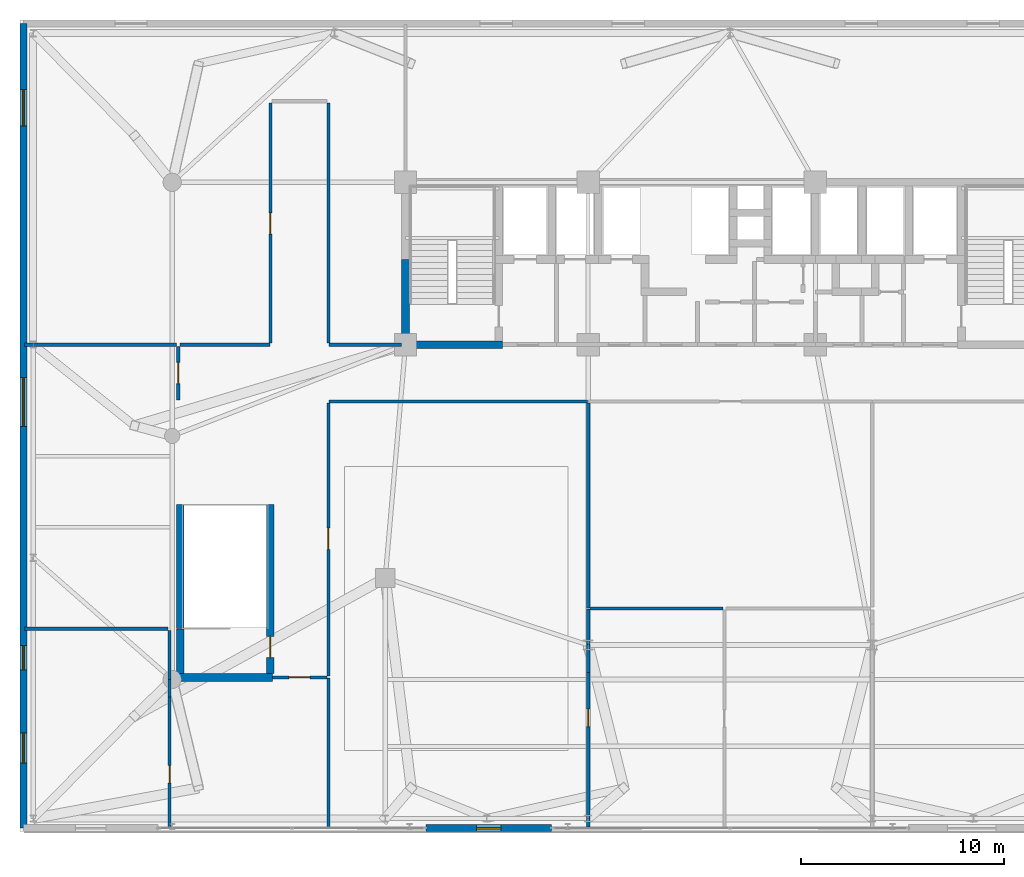
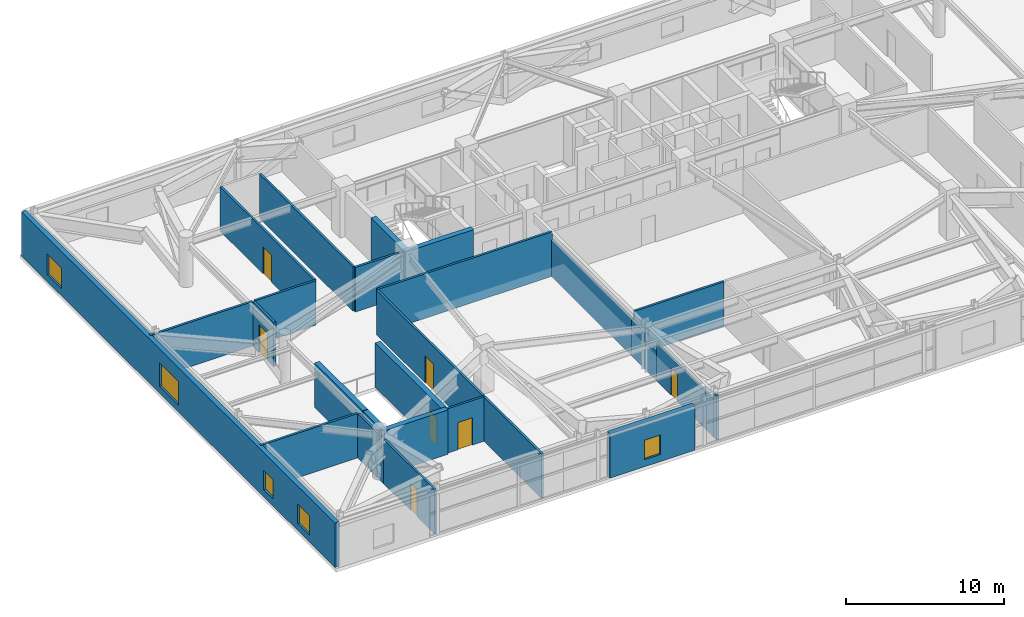
# One storey, part 20 of 27: 28 walls, 7 doors, 5 windows, 12 openings.
"""IFC4 building model written with IfcOpenShell, lengths in metres."""

from ifc_helpers import new_model, si_unit, direction, frame, frame_2d, origin, place, context, subcontext, project, spatial, rectangle, extrude, source, transform, mapped, material, layer, layer_set, type_object, element, fill, save


model = new_model("IFC4")

# Units and contexts
model_context = context("Model", 3, precision=1e-05, world=origin(), true_north=direction((0.0, 1.0)))
body_context = subcontext(model_context, "Body", "Model", "MODEL_VIEW")
ifc_project = project(units=[si_unit("LENGTHUNIT", "METRE"), si_unit("AREAUNIT", "SQUARE_METRE"), si_unit("VOLUMEUNIT", "CUBIC_METRE"), si_unit("PLANEANGLEUNIT", "RADIAN"), si_unit("MASSUNIT", "GRAM", prefix="KILO")], contexts=[model_context])

# Site, building, storey
site_placement = place(None, origin())
site = spatial("IfcSite", under=ifc_project, at=site_placement, CompositionType="ELEMENT")
building_placement = place(site_placement, origin())
building = spatial("IfcBuilding", under=site, at=building_placement, Name="Taldren Reach Tower", CompositionType="ELEMENT")
storey_placement = place(building_placement, frame((0.0, 0.0, 12.949951171875)))
storey = spatial("IfcBuildingStorey", under=building, at=storey_placement, Name="L03", CompositionType="ELEMENT", Elevation=12.949951171875)

# Wall, opening, window
ifc_material_1 = material(Name="Pale Champagne Anodised Aluminium Cladding", Category="aluminium")
ifc_layer_1 = layer(ifc_material_1, 0.04, Name="Pale Champagne Anodised Aluminium Cladding", Category="aluminium")
ifc_material_2 = material(Name="Mineral Wool Thermal Insulation", Category="insulation")
ifc_layer_2 = layer(ifc_material_2, 0.08, Name="Mineral Wool Thermal Insulation", Category="insulation")
ifc_material_3 = material(Name="Concrete S50 (50 MPa)", Category="concrete")
ifc_layer_3 = layer(ifc_material_3, 0.22, Name="Concrete S50 (50 MPa)", Category="concrete")
ifc_layer_set_1 = layer_set([ifc_layer_1, ifc_layer_2, ifc_layer_3], Name="Pale Champagne Aluminium Cladding and Precast Concrete 50 MPa (S50)")
wall_type_1 = type_object("IfcWallType", Name="EW-POD-340", PredefinedType="SOLIDWALL", material=ifc_layer_set_1)
shared_shape_1 = source(origin(), body_context, "Body", "SweptSolid", [
    extrude(rectangle(XDim=6.199951171875, YDim=0.340087890625, at=frame_2d((3.10009765625, 0.0))), origin(), (0.0, 0.0, 1.0), 3.429931640625),
])
wall_1_placement = place(storey_placement, frame((20.0, 0.169921875, 0.0), z_axis=(0.0, 0.0, 1.0), x_axis=(1.0, 0.0, 0.0)))
wall_1 = element("IfcWall", 1, at=wall_1_placement, inside=storey, type_object=wall_type_1, Name="Podium south facade wall L03-S2", PredefinedType="SOLIDWALL", context=body_context, shape_type="MappedRepresentation", body=[
    mapped(shared_shape_1, transform((0.0, 0.0, 0.0), scale=1.0)),
])
shared_shape_2 = source(origin(), body_context, "Body", "SweptSolid", [
    extrude(rectangle(XDim=1.199951171875, YDim=1.5, at=frame_2d((0.60009765625, 0.75))), frame((0.0, 0.18017578125, 0.0), z_axis=(0.0, -1.0, 0.0), x_axis=(1.0, 0.0, 0.0)), (0.0, 0.0, 1.0), 0.360107421875),
])
opening_1_placement = place(wall_1_placement, frame((2.5, 0.0, 0.550048828125)))
opening_1 = element("IfcOpeningElement", 2, at=opening_1_placement, cuts=wall_1, Name="Opening W-1215", PredefinedType="OPENING", context=body_context, shape_type="MappedRepresentation", body=[
    mapped(shared_shape_2, transform((0.0, 0.0, 0.0), scale=1.0)),
])
ifc_material_4 = material(Name="Thermally Broken Aluminium and Low-E IGU", Category="aluminium")
window_type_1 = type_object("IfcWindowType", Name="WN-POD-1200", PartitioningType="SINGLE_PANEL", PredefinedType="WINDOW", material=ifc_material_4)
shared_shape_3 = source(origin(), body_context, "Body", "SweptSolid", [
    extrude(rectangle(XDim=1.199951171875, YDim=1.5, at=frame_2d((0.60009765625, 0.75))), frame((0.0, 0.030029296875, 0.0), z_axis=(0.0, -1.0, 0.0), x_axis=(1.0, 0.0, 0.0)), (0.0, 0.0, 1.0), 0.06005859375),
])
window_1_placement = place(opening_1_placement, origin())
window_1 = element("IfcWindow", 3, at=window_1_placement, inside=storey, type_object=window_type_1, Name="Podium clinical window L03-S2", OverallHeight=1.5, OverallWidth=1.199951171875, PartitioningType="SINGLE_PANEL", PredefinedType="WINDOW", context=body_context, shape_type="MappedRepresentation", body=[
    mapped(shared_shape_3, transform((0.0, 0.0, 0.0), scale=1.0)),
])
fill(opening_1, window_1)

# Wall, openings, windows
shared_shape_4 = source(origin(), body_context, "Body", "SweptSolid", [
    extrude(rectangle(XDim=39.66015625, YDim=0.340087890625, at=frame_2d((19.830078125, 0.0))), origin(), (0.0, 0.0, 1.0), 3.429931640625),
])
wall_2_placement = place(storey_placement, frame((0.169921875, 0.169921875, 0.0), z_axis=(0.0, 0.0, 1.0), x_axis=(0.0, 1.0, 0.0)))
wall_2 = element("IfcWall", 4, at=wall_2_placement, inside=storey, type_object=wall_type_1, Name="Podium facade wall L03-W", PredefinedType="SOLIDWALL", context=body_context, shape_type="MappedRepresentation", body=[
    mapped(shared_shape_4, transform((0.0, 0.0, 0.0), scale=1.0)),
])
shared_shape_5 = source(origin(), body_context, "Body", "SweptSolid", [
    extrude(rectangle(XDim=1.5, YDim=1.5, at=frame_2d((0.75, 0.75))), frame((0.0, 0.18017578125, 0.0), z_axis=(0.0, -1.0, 0.0), x_axis=(1.0, 0.0, 0.0)), (0.0, 0.0, 1.0), 0.360107421875),
])
opening_2_placement = place(wall_2_placement, frame((3.199951171875, 0.0, 0.550048828125)))
opening_2 = element("IfcOpeningElement", 5, at=opening_2_placement, cuts=wall_2, Name="Opening W-1515", PredefinedType="OPENING", context=body_context, shape_type="MappedRepresentation", body=[
    mapped(shared_shape_5, transform((0.0, 0.0, 0.0), scale=1.0)),
])
opening_3_placement = place(wall_2_placement, frame((7.800048828125, 0.0, 0.550048828125)))
opening_3 = element("IfcOpeningElement", 6, at=opening_3_placement, cuts=wall_2, Name="Opening W-1215", PredefinedType="OPENING", context=body_context, shape_type="MappedRepresentation", body=[
    mapped(shared_shape_2, transform((0.0, 0.0, 0.0), scale=1.0)),
])
shared_shape_6 = source(origin(), body_context, "Body", "SweptSolid", [
    extrude(rectangle(XDim=2.39990234375, YDim=1.800048828125, at=frame_2d((1.199951171875, 0.89990234375))), frame((0.0, 0.18017578125, 0.0), z_axis=(0.0, -1.0, 0.0), x_axis=(1.0, 0.0, 0.0)), (0.0, 0.0, 1.0), 0.360107421875),
])
opening_4_placement = place(wall_2_placement, frame((19.800048828125, 0.0, 0.550048828125)))
opening_4 = element("IfcOpeningElement", 7, at=opening_4_placement, cuts=wall_2, Name="Opening W-2418", PredefinedType="OPENING", context=body_context, shape_type="MappedRepresentation", body=[
    mapped(shared_shape_6, transform((0.0, 0.0, 0.0), scale=1.0)),
])
shared_shape_7 = source(origin(), body_context, "Body", "SweptSolid", [
    extrude(rectangle(XDim=1.800048828125, YDim=1.60009765625, at=frame_2d((0.89990234375, 0.800048828125))), frame((0.0, 0.18017578125, 0.0), z_axis=(0.0, -1.0, 0.0), x_axis=(1.0, 0.0, 0.0)), (0.0, 0.0, 1.0), 0.360107421875),
])
opening_5_placement = place(wall_2_placement, frame((34.60009765625, 0.0, 0.550048828125)))
opening_5 = element("IfcOpeningElement", 8, at=opening_5_placement, cuts=wall_2, Name="Opening W-1816", PredefinedType="OPENING", context=body_context, shape_type="MappedRepresentation", body=[
    mapped(shared_shape_7, transform((0.0, 0.0, 0.0), scale=1.0)),
])
window_2_placement = place(opening_3_placement, origin())
window_2 = element("IfcWindow", 9, at=window_2_placement, inside=storey, type_object=window_type_1, Name="Clinical window L03-W2", OverallHeight=1.5, OverallWidth=1.199951171875, PartitioningType="SINGLE_PANEL", PredefinedType="WINDOW", context=body_context, shape_type="MappedRepresentation", body=[
    mapped(shared_shape_3, transform((0.0, 0.0, 0.0), scale=1.0)),
])
fill(opening_3, window_2)
window_type_2 = type_object("IfcWindowType", Name="WN-POD-1800", PartitioningType="SINGLE_PANEL", PredefinedType="WINDOW", material=ifc_material_4)
shared_shape_8 = source(origin(), body_context, "Body", "SweptSolid", [
    extrude(rectangle(XDim=1.800048828125, YDim=1.60009765625, at=frame_2d((0.89990234375, 0.800048828125))), frame((0.0, 0.030029296875, 0.0), z_axis=(0.0, -1.0, 0.0), x_axis=(1.0, 0.0, 0.0)), (0.0, 0.0, 1.0), 0.06005859375),
])
window_3_placement = place(opening_5_placement, origin())
window_3 = element("IfcWindow", 10, at=window_3_placement, inside=storey, type_object=window_type_2, Name="Clinical window L03-W4", OverallHeight=1.60009765625, OverallWidth=1.800048828125, PartitioningType="SINGLE_PANEL", PredefinedType="WINDOW", context=body_context, shape_type="MappedRepresentation", body=[
    mapped(shared_shape_8, transform((0.0, 0.0, 0.0), scale=1.0)),
])
fill(opening_5, window_3)
window_type_3 = type_object("IfcWindowType", Name="WN-POD-2400", PartitioningType="SINGLE_PANEL", PredefinedType="WINDOW", material=ifc_material_4)
shared_shape_9 = source(origin(), body_context, "Body", "SweptSolid", [
    extrude(rectangle(XDim=2.39990234375, YDim=1.800048828125, at=frame_2d((1.199951171875, 0.89990234375))), frame((0.0, 0.030029296875, 0.0), z_axis=(0.0, -1.0, 0.0), x_axis=(1.0, 0.0, 0.0)), (0.0, 0.0, 1.0), 0.06005859375),
])
window_4_placement = place(opening_4_placement, origin())
window_4 = element("IfcWindow", 11, at=window_4_placement, inside=storey, type_object=window_type_3, Name="Clinical window L03-W3", OverallHeight=1.800048828125, OverallWidth=2.39990234375, PartitioningType="SINGLE_PANEL", PredefinedType="WINDOW", context=body_context, shape_type="MappedRepresentation", body=[
    mapped(shared_shape_9, transform((0.0, 0.0, 0.0), scale=1.0)),
])
fill(opening_4, window_4)
window_type_4 = type_object("IfcWindowType", Name="WN-POD-1500", PartitioningType="SINGLE_PANEL", PredefinedType="WINDOW", material=ifc_material_4)
shared_shape_10 = source(origin(), body_context, "Body", "SweptSolid", [
    extrude(rectangle(XDim=1.5, YDim=1.5, at=frame_2d((0.75, 0.75))), frame((0.0, 0.030029296875, 0.0), z_axis=(0.0, -1.0, 0.0), x_axis=(1.0, 0.0, 0.0)), (0.0, 0.0, 1.0), 0.06005859375),
])
window_5_placement = place(opening_2_placement, origin())
window_5 = element("IfcWindow", 12, at=window_5_placement, inside=storey, type_object=window_type_4, Name="Clinical window L03-W1", OverallHeight=1.5, OverallWidth=1.5, PartitioningType="SINGLE_PANEL", PredefinedType="WINDOW", context=body_context, shape_type="MappedRepresentation", body=[
    mapped(shared_shape_10, transform((0.0, 0.0, 0.0), scale=1.0)),
])
fill(opening_2, window_5)

# Walls
ifc_material_5 = material(Name="Concrete S80 (80 MPa)", Category="concrete")
ifc_layer_4 = layer(ifc_material_5, 0.3798828125)
ifc_layer_set_2 = layer_set([ifc_layer_4], Name="Concrete S80 (80 MPa)")
wall_type_2 = type_object("IfcWallType", Name="IW-CORE-380", PredefinedType="SHEAR", material=ifc_layer_set_2)
shared_shape_11 = source(origin(), body_context, "Body", "SweptSolid", [
    extrude(rectangle(XDim=4.010009765625, YDim=0.3798828125, at=frame_2d((2.0048828125, 0.0))), origin(), (0.0, 0.0, 1.0), 3.429931640625),
])
wall_3_placement = place(storey_placement, frame((19.0, 24.18994140625, 0.0), z_axis=(0.0, 0.0, 1.0), x_axis=(0.0, 1.0, 0.0)))
element("IfcWall", 13, at=wall_3_placement, inside=storey, type_object=wall_type_2, Name="Rear Core Shear Wall W-CORE-L03-WEST1", PredefinedType="SHEAR", context=body_context, shape_type="MappedRepresentation", body=[
    mapped(shared_shape_11, transform((0.0, 0.0, 0.0), scale=1.0)),
])
shared_shape_12 = source(origin(), body_context, "Body", "SweptSolid", [
    extrude(rectangle(XDim=4.97998046875, YDim=0.3798828125, at=frame_2d((2.489990234375, 0.0))), origin(), (0.0, 0.0, 1.0), 3.429931640625),
])
wall_4_placement = place(storey_placement, frame((18.81005859375, 24.0, 0.0), z_axis=(0.0, 0.0, 1.0), x_axis=(1.0, 0.0, 0.0)))
element("IfcWall", 14, at=wall_4_placement, inside=storey, type_object=wall_type_2, Name="Rear Core Shear Wall W-INT-L03-003", PredefinedType="SHEAR", context=body_context, shape_type="MappedRepresentation", body=[
    mapped(shared_shape_12, transform((0.0, 0.0, 0.0), scale=1.0)),
])

# Wall, opening, door
shared_shape_13 = source(origin(), body_context, "Body", "SweptSolid", [
    extrude(rectangle(XDim=8.330078125, YDim=0.3798828125, at=frame_2d((4.1650390625, 0.0))), origin(), (0.0, 0.0, 1.0), 3.429931640625),
])
wall_5_placement = place(storey_placement, frame((12.340087890625, 16.1201171875, 0.0), z_axis=(0.0, 0.0, 1.0), x_axis=(0.0, -1.0, 0.0)))
wall_5 = element("IfcWall", 15, at=wall_5_placement, inside=storey, type_object=wall_type_2, Name="Rear Core Shear Wall W-INT-L03-060", PredefinedType="SHEAR", context=body_context, shape_type="MappedRepresentation", body=[
    mapped(shared_shape_13, transform((0.0, 0.0, 0.0), scale=1.0)),
])
shared_shape_14 = source(origin(), body_context, "Body", "SweptSolid", [
    extrude(rectangle(XDim=1.050048828125, YDim=2.10009765625, at=frame_2d((0.52490234375, 1.050048828125))), frame((0.0, 0.199951171875, 0.0), z_axis=(0.0, -1.0, 0.0), x_axis=(1.0, 0.0, 0.0)), (0.0, 0.0, 1.0), 0.39990234375),
])
opening_6_placement = place(wall_5_placement, frame((6.4951171875, 0.0, 0.0)))
opening_6 = element("IfcOpeningElement", 16, at=opening_6_placement, cuts=wall_5, Name="Opening DF-105", PredefinedType="OPENING", context=body_context, shape_type="MappedRepresentation", body=[
    mapped(shared_shape_14, transform((0.0, 0.0, 0.0), scale=1.0)),
])
ifc_material_6 = material(Name="Fire-Rated Care and Stair Exit Door")
door_type_1 = type_object("IfcDoorType", Name="ID-FIRE-105", OperationType="NOTDEFINED", PredefinedType="DOOR", material=ifc_material_6)
shared_shape_15 = source(origin(), body_context, "Body", "SweptSolid", [
    extrude(rectangle(XDim=1.050048828125, YDim=2.10009765625, at=frame_2d((0.52490234375, 1.050048828125))), frame((0.0, 0.02490234375, 0.0), z_axis=(0.0, -1.0, 0.0), x_axis=(1.0, 0.0, 0.0)), (0.0, 0.0, 1.0), 0.050048828125),
])
door_1_placement = place(opening_6_placement, frame((1.050048828125, 0.0, 0.0), z_axis=(0.0, 0.0, 1.0), x_axis=(-1.0, 0.0, 0.0)))
door_1 = element("IfcDoor", 17, at=door_1_placement, inside=storey, type_object=door_type_1, Name="Fire Exit Stair Door DR-L03-014", OperationType="SINGLE_SWING_LEFT", OverallHeight=2.10009765625, OverallWidth=1.050048828125, PredefinedType="DOOR", context=body_context, shape_type="MappedRepresentation", body=[
    mapped(shared_shape_15, transform((0.0, 0.0, 0.0), scale=1.0)),
])
fill(opening_6, door_1)

# Walls
shared_shape_16 = source(origin(), body_context, "Body", "SweptSolid", [
    extrude(rectangle(XDim=4.659912109375, YDim=0.3798828125, at=frame_2d((2.330078125, 0.0))), origin(), (0.0, 0.0, 1.0), 3.429931640625),
])
wall_6_placement = place(storey_placement, frame((12.449951171875, 7.60009765625, 0.0), z_axis=(0.0, 0.0, 1.0), x_axis=(-1.0, 0.0, 0.0)))
element("IfcWall", 18, at=wall_6_placement, inside=storey, type_object=wall_type_2, Name="Rear Core Shear Wall W-INT-L03-061", PredefinedType="SHEAR", context=body_context, shape_type="MappedRepresentation", body=[
    mapped(shared_shape_16, transform((0.0, 0.0, 0.0), scale=1.0)),
])
shared_shape_17 = source(origin(), body_context, "Body", "SweptSolid", [
    extrude(rectangle(XDim=2.189697265625, YDim=0.3798828125, at=frame_2d((1.0947265625, 0.0))), origin(), (0.0, 0.0, 1.0), 3.429931640625),
])
wall_7_placement = place(storey_placement, frame((7.89990234375, 7.7900390625, 0.0), z_axis=(0.0, 0.0, 1.0), x_axis=(0.0, 1.0, 0.0)))
element("IfcWall", 19, at=wall_7_placement, inside=storey, type_object=wall_type_2, Name="Rear Core Shear Wall W-INT-L03-062", PredefinedType="SHEAR", context=body_context, shape_type="MappedRepresentation", body=[
    mapped(shared_shape_17, transform((0.0, 0.0, 0.0), scale=1.0)),
])
shared_shape_18 = source(origin(), body_context, "Body", "SweptSolid", [
    extrude(rectangle(XDim=6.099853515625, YDim=0.3798828125, at=frame_2d((3.0498046875, 0.0))), origin(), (0.0, 0.0, 1.0), 3.429931640625),
])
wall_8_placement = place(storey_placement, frame((7.89990234375, 10.020263671875, 0.0), z_axis=(0.0, 0.0, 1.0), x_axis=(0.0, 1.0, 0.0)))
element("IfcWall", 20, at=wall_8_placement, inside=storey, type_object=wall_type_2, Name="Rear Core Shear Wall W-INT-L03-063", PredefinedType="SHEAR", context=body_context, shape_type="MappedRepresentation", body=[
    mapped(shared_shape_18, transform((0.0, 0.0, 0.0), scale=1.0)),
])

# Wall, opening, door
ifc_material_7 = material(Name="Fire-Rated Acoustic Plasterboard Stud Wall", Category="gypsum")
ifc_layer_5 = layer(ifc_material_7, 0.159912109375)
ifc_layer_set_3 = layer_set([ifc_layer_5], Name="Fire-Rated Acoustic Plasterboard Stud Wall")
wall_type_3 = type_object("IfcWallType", Name="IW-FIRE-160", PredefinedType="PARTITIONING", material=ifc_layer_set_3)
shared_shape_19 = source(origin(), body_context, "Body", "SweptSolid", [
    extrude(rectangle(XDim=13.440185546875, YDim=0.159912109375, at=frame_2d((6.72021484375, 0.0))), origin(), (0.0, 0.0, 1.0), 3.429931640625),
])
wall_9_placement = place(storey_placement, frame((15.199951171875, 21.1201171875, 0.0), z_axis=(0.0, 0.0, 1.0), x_axis=(0.0, -1.0, 0.0)))
wall_9 = element("IfcWall", 21, at=wall_9_placement, inside=storey, type_object=wall_type_3, Name="Interior Partition Wall W-INT-L03-064", PredefinedType="PARTITIONING", context=body_context, shape_type="MappedRepresentation", body=[
    mapped(shared_shape_19, transform((0.0, 0.0, 0.0), scale=1.0)),
])
shared_shape_20 = source(origin(), body_context, "Body", "SweptSolid", [
    extrude(rectangle(XDim=1.050048828125, YDim=2.10009765625, at=frame_2d((0.52490234375, 1.050048828125))), frame((0.0, 0.08984375, 0.0), z_axis=(0.0, -1.0, 0.0), x_axis=(1.0, 0.0, 0.0)), (0.0, 0.0, 1.0), 0.179931640625),
])
opening_7_placement = place(wall_9_placement, frame((6.1650390625, 0.0, 0.0)))
opening_7 = element("IfcOpeningElement", 22, at=opening_7_placement, cuts=wall_9, Name="Opening DF-105", PredefinedType="OPENING", context=body_context, shape_type="MappedRepresentation", body=[
    mapped(shared_shape_20, transform((0.0, 0.0, 0.0), scale=1.0)),
])
door_2_placement = place(opening_7_placement, origin())
door_2 = element("IfcDoor", 23, at=door_2_placement, inside=storey, type_object=door_type_1, Name="Interior Door DR-L03-015", OperationType="SINGLE_SWING_RIGHT", OverallHeight=2.10009765625, OverallWidth=1.050048828125, PredefinedType="DOOR", context=body_context, shape_type="MappedRepresentation", body=[
    mapped(shared_shape_15, transform((0.0, 0.0, 0.0), scale=1.0)),
])
fill(opening_7, door_2)

# Wall
shared_shape_21 = source(origin(), body_context, "Body", "SweptSolid", [
    extrude(rectangle(XDim=12.759521484375, YDim=0.159912109375, at=frame_2d((6.3798828125, 0.0))), origin(), (0.0, 0.0, 1.0), 3.429931640625),
])
wall_10_placement = place(storey_placement, frame((27.979736328125, 21.199951171875, 0.0), z_axis=(0.0, 0.0, 1.0), x_axis=(-1.0, 0.0, 0.0)))
element("IfcWall", 24, at=wall_10_placement, inside=storey, type_object=wall_type_3, Name="Interior Partition Wall W-INT-L03-065", PredefinedType="PARTITIONING", context=body_context, shape_type="MappedRepresentation", body=[
    mapped(shared_shape_21, transform((0.0, 0.0, 0.0), scale=1.0)),
])

# Wall, opening, door
shared_shape_22 = source(origin(), body_context, "Body", "SweptSolid", [
    extrude(rectangle(XDim=2.670166015625, YDim=0.159912109375, at=frame_2d((1.3349609375, 0.0))), origin(), (0.0, 0.0, 1.0), 3.429931640625),
])
wall_11_placement = place(storey_placement, frame((15.1201171875, 7.60009765625, 0.0), z_axis=(0.0, 0.0, 1.0), x_axis=(-1.0, 0.0, 0.0)))
wall_11 = element("IfcWall", 25, at=wall_11_placement, inside=storey, type_object=wall_type_3, Name="Interior Partition Wall W-INT-L03-069", PredefinedType="PARTITIONING", context=body_context, shape_type="MappedRepresentation", body=[
    mapped(shared_shape_22, transform((0.0, 0.0, 0.0), scale=1.0)),
])
opening_8_placement = place(wall_11_placement, frame((0.824951171875, 0.0, 0.0)))
opening_8 = element("IfcOpeningElement", 26, at=opening_8_placement, cuts=wall_11, Name="Opening DF-105", PredefinedType="OPENING", context=body_context, shape_type="MappedRepresentation", body=[
    mapped(shared_shape_20, transform((0.0, 0.0, 0.0), scale=1.0)),
])
door_3_placement = place(opening_8_placement, origin())
door_3 = element("IfcDoor", 27, at=door_3_placement, inside=storey, type_object=door_type_1, Name="Interior Door DR-L03-018", OperationType="SINGLE_SWING_LEFT", OverallHeight=2.10009765625, OverallWidth=1.050048828125, PredefinedType="DOOR", context=body_context, shape_type="MappedRepresentation", body=[
    mapped(shared_shape_15, transform((0.0, 0.0, 0.0), scale=1.0)),
])
fill(opening_8, door_3)

shared_shape_23 = source(origin(), body_context, "Body", "SweptSolid", [
    extrude(rectangle(XDim=2.639892578125, YDim=0.159912109375, at=frame_2d((1.31982421875, 0.0))), origin(), (0.0, 0.0, 1.0), 3.429931640625),
])
wall_12_placement = place(storey_placement, frame((7.800048828125, 21.280029296875, 0.0), z_axis=(0.0, 0.0, 1.0), x_axis=(0.0, 1.0, 0.0)))
wall_12 = element("IfcWall", 28, at=wall_12_placement, inside=storey, type_object=wall_type_3, Name="Interior Partition Wall W-INT-L03-070", PredefinedType="PARTITIONING", context=body_context, shape_type="MappedRepresentation", body=[
    mapped(shared_shape_23, transform((0.0, 0.0, 0.0), scale=1.0)),
])
opening_9_placement = place(wall_12_placement, frame((0.794921875, 0.0, 0.0)))
opening_9 = element("IfcOpeningElement", 29, at=opening_9_placement, cuts=wall_12, Name="Opening DF-105", PredefinedType="OPENING", context=body_context, shape_type="MappedRepresentation", body=[
    mapped(shared_shape_20, transform((0.0, 0.0, 0.0), scale=1.0)),
])
door_4_placement = place(opening_9_placement, origin())
door_4 = element("IfcDoor", 30, at=door_4_placement, inside=storey, type_object=door_type_1, Name="Interior Door DR-L03-019", OperationType="SINGLE_SWING_RIGHT", OverallHeight=2.10009765625, OverallWidth=1.050048828125, PredefinedType="DOOR", context=body_context, shape_type="MappedRepresentation", body=[
    mapped(shared_shape_15, transform((0.0, 0.0, 0.0), scale=1.0)),
])
fill(opening_9, door_4)

shared_shape_24 = source(origin(), body_context, "Body", "SweptSolid", [
    extrude(rectangle(XDim=11.83984375, YDim=0.159912109375, at=frame_2d((5.919921875, 0.0))), origin(), (0.0, 0.0, 1.0), 3.429931640625),
])
wall_13_placement = place(storey_placement, frame((12.340087890625, 24.080078125, 0.0), z_axis=(0.0, 0.0, 1.0), x_axis=(0.0, 1.0, 0.0)))
wall_13 = element("IfcWall", 31, at=wall_13_placement, inside=storey, type_object=wall_type_3, Name="Interior Partition Wall W-INT-L03-071", PredefinedType="PARTITIONING", context=body_context, shape_type="MappedRepresentation", body=[
    mapped(shared_shape_24, transform((0.0, 0.0, 0.0), scale=1.0)),
])
opening_10_placement = place(wall_13_placement, frame((5.364990234375, 0.0, 0.0)))
opening_10 = element("IfcOpeningElement", 32, at=opening_10_placement, cuts=wall_13, Name="Opening DF-105", PredefinedType="OPENING", context=body_context, shape_type="MappedRepresentation", body=[
    mapped(shared_shape_20, transform((0.0, 0.0, 0.0), scale=1.0)),
])
door_5_placement = place(opening_10_placement, origin())
door_5 = element("IfcDoor", 33, at=door_5_placement, inside=storey, type_object=door_type_1, Name="Interior Door DR-L03-020", OperationType="SINGLE_SWING_LEFT", OverallHeight=2.10009765625, OverallWidth=1.050048828125, PredefinedType="DOOR", context=body_context, shape_type="MappedRepresentation", body=[
    mapped(shared_shape_15, transform((0.0, 0.0, 0.0), scale=1.0)),
])
fill(opening_10, door_5)

# Walls
wall_14_placement = place(storey_placement, frame((15.199951171875, 35.919921875, 0.0), z_axis=(0.0, 0.0, 1.0), x_axis=(0.0, -1.0, 0.0)))
element("IfcWall", 34, at=wall_14_placement, inside=storey, type_object=wall_type_3, Name="Interior Partition Wall W-INT-L03-072", PredefinedType="PARTITIONING", context=body_context, shape_type="MappedRepresentation", body=[
    mapped(shared_shape_24, transform((0.0, 0.0, 0.0), scale=1.0)),
])
shared_shape_25 = source(origin(), body_context, "Body", "SweptSolid", [
    extrude(rectangle(XDim=4.43994140625, YDim=0.159912109375, at=frame_2d((2.219970703125, 0.0))), origin(), (0.0, 0.0, 1.0), 3.429931640625),
])
wall_15_placement = place(storey_placement, frame((7.8798828125, 24.0, 0.0), z_axis=(0.0, 0.0, 1.0), x_axis=(1.0, 0.0, 0.0)))
element("IfcWall", 35, at=wall_15_placement, inside=storey, type_object=wall_type_3, Name="Interior Partition Wall W-INT-L03-073", PredefinedType="PARTITIONING", context=body_context, shape_type="MappedRepresentation", body=[
    mapped(shared_shape_25, transform((0.0, 0.0, 0.0), scale=1.0)),
])
shared_shape_26 = source(origin(), body_context, "Body", "SweptSolid", [
    extrude(rectangle(XDim=3.58984375, YDim=0.159912109375, at=frame_2d((1.794921875, 0.0))), origin(), (0.0, 0.0, 1.0), 3.429931640625),
])
wall_16_placement = place(storey_placement, frame((15.22021484375, 24.0, 0.0), z_axis=(0.0, 0.0, 1.0), x_axis=(1.0, 0.0, 0.0)))
element("IfcWall", 36, at=wall_16_placement, inside=storey, type_object=wall_type_3, Name="Interior Partition Wall W-INT-L03-074", PredefinedType="PARTITIONING", context=body_context, shape_type="MappedRepresentation", body=[
    mapped(shared_shape_26, transform((0.0, 0.0, 0.0), scale=1.0)),
])
shared_shape_27 = source(origin(), body_context, "Body", "SweptSolid", [
    extrude(rectangle(XDim=1.759765625, YDim=0.159912109375, at=frame_2d((0.8798828125, 0.0))), origin(), (0.0, 0.0, 1.0), 2.828125),
])
wall_17_placement = place(storey_placement, frame((28.0, 10.979736328125, 0.0), z_axis=(0.0, 0.0, 1.0), x_axis=(0.0, -1.0, 0.0)))
element("IfcWall", 37, at=wall_17_placement, inside=storey, type_object=wall_type_3, Name="Interior Partition Wall W-INT-L03-083", PredefinedType="PARTITIONING", context=body_context, shape_type="MappedRepresentation", body=[
    mapped(shared_shape_27, transform((0.0, 0.0, 0.0), scale=1.0)),
])
shared_shape_28 = source(origin(), body_context, "Body", "SweptSolid", [
    extrude(rectangle(XDim=1.37255859375, YDim=0.159912109375, at=frame_2d((0.686279296875, 0.0))), origin(), (0.0, 0.0, 1.0), 2.22998046875),
])
wall_18_placement = place(storey_placement, frame((28.0, 9.219970703125, 0.0), z_axis=(0.0, 0.0, 1.0), x_axis=(0.0, -1.0, 0.0)))
element("IfcWall", 38, at=wall_18_placement, inside=storey, type_object=wall_type_3, Name="Interior Partition Wall W-INT-L03-083 part 2", PredefinedType="PARTITIONING", context=body_context, shape_type="MappedRepresentation", body=[
    mapped(shared_shape_28, transform((0.0, 0.0, 0.0), scale=1.0)),
])

# Wall, opening, door
shared_shape_29 = source(origin(), body_context, "Body", "SweptSolid", [
    extrude(rectangle(XDim=7.197509765625, YDim=0.159912109375, at=frame_2d((3.5986328125, 0.0))), origin(), (0.0, 0.0, 1.0), 2.89697265625),
])
wall_19_placement = place(storey_placement, frame((28.0, 7.847412109375, 0.0), z_axis=(0.0, 0.0, 1.0), x_axis=(0.0, -1.0, 0.0)))
wall_19 = element("IfcWall", 39, at=wall_19_placement, inside=storey, type_object=wall_type_3, Name="Interior Partition Wall W-INT-L03-083 part 3", PredefinedType="PARTITIONING", context=body_context, shape_type="MappedRepresentation", body=[
    mapped(shared_shape_29, transform((0.0, 0.0, 0.0), scale=1.0)),
])
shared_shape_30 = source(origin(), body_context, "Body", "SweptSolid", [
    extrude(rectangle(XDim=0.860107421875, YDim=2.10009765625, at=frame_2d((0.43017578125, 1.050048828125))), frame((0.0, 0.08984375, 0.0), z_axis=(0.0, -1.0, 0.0), x_axis=(1.0, 0.0, 0.0)), (0.0, 0.0, 1.0), 0.179931640625),
])
opening_11_placement = place(wall_19_placement, frame((1.8125, 0.0, 0.0)))
opening_11 = element("IfcOpeningElement", 40, at=opening_11_placement, cuts=wall_19, Name="Opening DI-086", PredefinedType="OPENING", context=body_context, shape_type="MappedRepresentation", body=[
    mapped(shared_shape_30, transform((0.0, 0.0, 0.0), scale=1.0)),
])
ifc_material_8 = material(Name="Timber Bathroom Door", Category="wood")
door_type_2 = type_object("IfcDoorType", Name="ID-INT-086", OperationType="NOTDEFINED", PredefinedType="DOOR", material=ifc_material_8)
shared_shape_31 = source(origin(), body_context, "Body", "SweptSolid", [
    extrude(rectangle(XDim=0.860107421875, YDim=2.10009765625, at=frame_2d((0.43017578125, 1.050048828125))), frame((0.0, 0.02490234375, 0.0), z_axis=(0.0, -1.0, 0.0), x_axis=(1.0, 0.0, 0.0)), (0.0, 0.0, 1.0), 0.050048828125),
])
door_6_placement = place(opening_11_placement, origin())
door_6 = element("IfcDoor", 41, at=door_6_placement, inside=storey, type_object=door_type_2, Name="Interior Door DR-L03-026", OperationType="SINGLE_SWING_LEFT", OverallHeight=2.10009765625, OverallWidth=0.860107421875, PredefinedType="DOOR", context=body_context, shape_type="MappedRepresentation", body=[
    mapped(shared_shape_31, transform((0.0, 0.0, 0.0), scale=1.0)),
])
fill(opening_11, door_6)

# Walls
shared_shape_32 = source(origin(), body_context, "Body", "SweptSolid", [
    extrude(rectangle(XDim=0.419921875, YDim=0.159912109375, at=frame_2d((0.2099609375, 0.0))), origin(), (0.0, 0.0, 1.0), 3.429931640625),
])
wall_20_placement = place(storey_placement, frame((28.0, 0.64990234375, 0.0), z_axis=(0.0, 0.0, 1.0), x_axis=(0.0, -1.0, 0.0)))
element("IfcWall", 42, at=wall_20_placement, inside=storey, type_object=wall_type_3, Name="Interior Partition Wall W-INT-L03-083 part 4", PredefinedType="PARTITIONING", context=body_context, shape_type="MappedRepresentation", body=[
    mapped(shared_shape_32, transform((0.0, 0.0, 0.0), scale=1.0)),
])
shared_shape_33 = source(origin(), body_context, "Body", "SweptSolid", [
    extrude(rectangle(XDim=10.099853515625, YDim=0.159912109375, at=frame_2d((5.0498046875, 0.0))), origin(), (0.0, 0.0, 1.0), 2.828125),
])
wall_21_placement = place(storey_placement, frame((28.0, 21.1201171875, 0.0), z_axis=(0.0, 0.0, 1.0), x_axis=(0.0, -1.0, 0.0)))
element("IfcWall", 43, at=wall_21_placement, inside=storey, type_object=wall_type_3, Name="Interior Partition Wall W-INT-L03-084", PredefinedType="PARTITIONING", context=body_context, shape_type="MappedRepresentation", body=[
    mapped(shared_shape_33, transform((0.0, 0.0, 0.0), scale=1.0)),
])
shared_shape_34 = source(origin(), body_context, "Body", "SweptSolid", [
    extrude(rectangle(XDim=7.349609375, YDim=0.159912109375, at=frame_2d((3.6748046875, 0.0))), origin(), (0.0, 0.0, 1.0), 3.429931640625),
])
wall_22_placement = place(storey_placement, frame((15.199951171875, 0.22998046875, 0.0), z_axis=(0.0, 0.0, 1.0), x_axis=(0.0, 1.0, 0.0)))
element("IfcWall", 44, at=wall_22_placement, inside=storey, type_object=wall_type_3, Name="Interior Partition Wall W-INT-L03-085", PredefinedType="PARTITIONING", context=body_context, shape_type="MappedRepresentation", body=[
    mapped(shared_shape_34, transform((0.0, 0.0, 0.0), scale=1.0)),
])
shared_shape_35 = source(origin(), body_context, "Body", "SweptSolid", [
    extrude(rectangle(XDim=6.557861328125, YDim=0.159912109375, at=frame_2d((3.27880859375, 0.0))), origin(), (0.0, 0.0, 1.0), 3.429931640625),
])
wall_23_placement = place(storey_placement, frame((28.08203125, 11.0, 0.0), z_axis=(0.0, 0.0, 1.0), x_axis=(1.0, 0.0, 0.0)))
element("IfcWall", 45, at=wall_23_placement, inside=storey, type_object=wall_type_3, Name="Interior Partition Wall W-INT-L03-087", PredefinedType="PARTITIONING", context=body_context, shape_type="MappedRepresentation", body=[
    mapped(shared_shape_35, transform((0.0, 0.0, 0.0), scale=1.0)),
])
shared_shape_36 = source(origin(), body_context, "Body", "SweptSolid", [
    extrude(rectangle(XDim=2.43115234375, YDim=0.159912109375, at=frame_2d((1.215576171875, 0.0))), origin(), (0.0, 0.0, 1.0), 3.429931640625),
])
wall_24_placement = place(storey_placement, frame((7.3740234375, 9.919921875, 0.0), z_axis=(0.0, 0.0, 1.0), x_axis=(0.0, -1.0, 0.0)))
element("IfcWall", 46, at=wall_24_placement, inside=storey, type_object=wall_type_3, Name="Interior Partition Wall W-INT-L03-091", PredefinedType="PARTITIONING", context=body_context, shape_type="MappedRepresentation", body=[
    mapped(shared_shape_36, transform((0.0, 0.0, 0.0), scale=1.0)),
])
shared_shape_37 = source(origin(), body_context, "Body", "SweptSolid", [
    extrude(rectangle(XDim=0.858154296875, YDim=0.159912109375, at=frame_2d((0.42919921875, 0.0))), origin(), (0.0, 0.0, 1.0), 2.22998046875),
])
wall_25_placement = place(storey_placement, frame((7.3740234375, 7.48876953125, 0.0), z_axis=(0.0, 0.0, 1.0), x_axis=(0.0, -1.0, 0.0)))
element("IfcWall", 47, at=wall_25_placement, inside=storey, type_object=wall_type_3, Name="Interior Partition Wall W-INT-L03-091 part 2", PredefinedType="PARTITIONING", context=body_context, shape_type="MappedRepresentation", body=[
    mapped(shared_shape_37, transform((0.0, 0.0, 0.0), scale=1.0)),
])

# Wall, opening, door
shared_shape_38 = source(origin(), body_context, "Body", "SweptSolid", [
    extrude(rectangle(XDim=6.400634765625, YDim=0.159912109375, at=frame_2d((3.2001953125, 0.0))), origin(), (0.0, 0.0, 1.0), 3.429931640625),
])
wall_26_placement = place(storey_placement, frame((7.3740234375, 6.630615234375, 0.0), z_axis=(0.0, 0.0, 1.0), x_axis=(0.0, -1.0, 0.0)))
wall_26 = element("IfcWall", 48, at=wall_26_placement, inside=storey, type_object=wall_type_3, Name="Interior Partition Wall W-INT-L03-091 part 3", PredefinedType="PARTITIONING", context=body_context, shape_type="MappedRepresentation", body=[
    mapped(shared_shape_38, transform((0.0, 0.0, 0.0), scale=1.0)),
])
opening_12_placement = place(wall_26_placement, frame((3.37548828125, 0.0, 0.0)))
opening_12 = element("IfcOpeningElement", 49, at=opening_12_placement, cuts=wall_26, Name="Opening DI-086", PredefinedType="OPENING", context=body_context, shape_type="MappedRepresentation", body=[
    mapped(shared_shape_30, transform((0.0, 0.0, 0.0), scale=1.0)),
])
door_7_placement = place(opening_12_placement, origin())
door_7 = element("IfcDoor", 50, at=door_7_placement, inside=storey, type_object=door_type_2, Name="Interior Door DR-L03-028", OperationType="SINGLE_SWING_LEFT", OverallHeight=2.10009765625, OverallWidth=0.860107421875, PredefinedType="DOOR", context=body_context, shape_type="MappedRepresentation", body=[
    mapped(shared_shape_31, transform((0.0, 0.0, 0.0), scale=1.0)),
])
fill(opening_12, door_7)

# Walls
shared_shape_39 = source(origin(), body_context, "Body", "SweptSolid", [
    extrude(rectangle(XDim=7.06201171875, YDim=0.159912109375, at=frame_2d((3.531005859375, 0.0))), origin(), (0.0, 0.0, 1.0), 3.429931640625),
])
wall_27_placement = place(storey_placement, frame((0.23193359375, 10.0, 0.0), z_axis=(0.0, 0.0, 1.0), x_axis=(1.0, 0.0, 0.0)))
element("IfcWall", 51, at=wall_27_placement, inside=storey, type_object=wall_type_3, Name="Interior Partition Wall W-INT-L03-092", PredefinedType="PARTITIONING", context=body_context, shape_type="MappedRepresentation", body=[
    mapped(shared_shape_39, transform((0.0, 0.0, 0.0), scale=1.0)),
])
shared_shape_40 = source(origin(), body_context, "Body", "SweptSolid", [
    extrude(rectangle(XDim=7.489990234375, YDim=0.159912109375, at=frame_2d((3.7451171875, 0.0))), origin(), (0.0, 0.0, 1.0), 3.429931640625),
])
wall_28_placement = place(storey_placement, frame((0.22998046875, 24.0, 0.0), z_axis=(0.0, 0.0, 1.0), x_axis=(1.0, 0.0, 0.0)))
element("IfcWall", 52, at=wall_28_placement, inside=storey, type_object=wall_type_3, Name="Interior Partition Wall W-INT-L03-093", PredefinedType="PARTITIONING", context=body_context, shape_type="MappedRepresentation", body=[
    mapped(shared_shape_40, transform((0.0, 0.0, 0.0), scale=1.0)),
])

save(model, "model.ifc")
